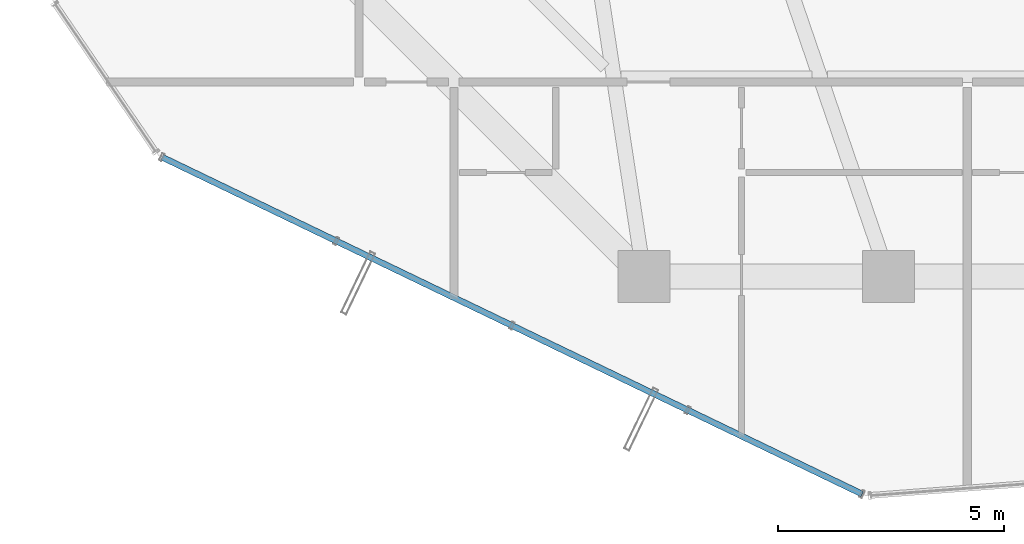
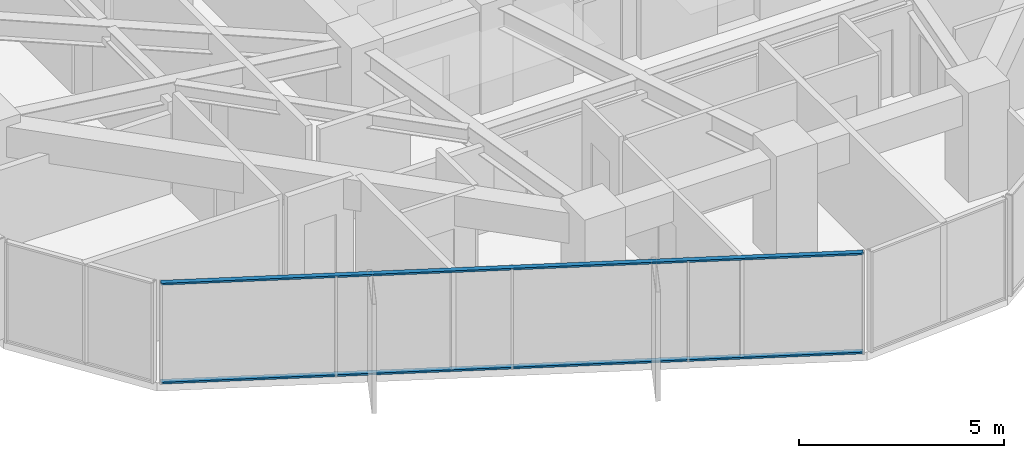
# One storey, part 3 of 35: 2 members, 1 element without a shape of its own.
"""IFC4 building model written with IfcOpenShell, lengths in metres."""

from ifc_helpers import new_model, si_unit, direction, frame, origin, origin_2d, place, context, subcontext, project, spatial, hollow_rectangle, extrude, source, transform, mapped, material, layer, layer_set, material_profile, profile_set, type_object, element, aggregate, save


model = new_model("IFC4")

# Units and contexts
model_context = context("Model", 3, precision=1e-05, world=origin(), true_north=direction((0.0, 1.0)))
body_context = subcontext(model_context, "Body", "Model", "MODEL_VIEW")
ifc_project = project(units=[si_unit("LENGTHUNIT", "METRE"), si_unit("AREAUNIT", "SQUARE_METRE"), si_unit("VOLUMEUNIT", "CUBIC_METRE"), si_unit("PLANEANGLEUNIT", "RADIAN"), si_unit("MASSUNIT", "GRAM", prefix="KILO")], contexts=[model_context])

# Site, building, storey
site_placement = place(None, origin())
site = spatial("IfcSite", under=ifc_project, at=site_placement, CompositionType="ELEMENT")
building_placement = place(site_placement, origin())
building = spatial("IfcBuilding", under=site, at=building_placement, Name="Veraguas Prism Commons", CompositionType="ELEMENT")
storey_placement = place(building_placement, frame((0.0, 0.0, 142.5)))
storey = spatial("IfcBuildingStorey", under=building, at=storey_placement, Name="L40", CompositionType="ELEMENT", Elevation=142.5)

# Curtain wall, members
ifc_material = material(Name="Anodised aluminium EN AW-6063 T6", Category="aluminium")
ifc_layer = layer(ifc_material, 0.169921875, Name="Unitised Flush Curtain Wall Zone 2", Category="aluminium")
ifc_layer_set = layer_set([ifc_layer], Name="Anodised aluminium EN AW-6063 T6")
curtain_wall_type = type_object("IfcCurtainWallType", Name="Unitised Flush Curtain Wall Zone 2", PredefinedType="NOTDEFINED", material=ifc_layer_set)
curtain_wall_placement = place(storey_placement, origin())
curtain_wall = element("IfcCurtainWall", 1, at=curtain_wall_placement, inside=storey, type_object=curtain_wall_type, Name="Tower Facade Curtain Wall L40-F4", PredefinedType="NOTDEFINED")
ifc_material_profile = material_profile(ifc_material, hollow_rectangle(XDim=0.054931640625, YDim=0.135009765625, WallThickness=0.0029296875, at=origin_2d()), Name="AL55X135X3")
ifc_profile_set = profile_set([ifc_material_profile], Name="Anodised aluminium EN AW-6063 T6")
member_type = type_object("IfcMemberType", Name="Curtain Wall Transom Standard AL 55x135x3", PredefinedType="USERDEFINED", material=ifc_profile_set)
shared_shape = source(origin(), body_context, "Body", "SweptSolid", [
    extrude(hollow_rectangle(XDim=0.054931640625, YDim=0.135009765625, WallThickness=0.0029296875, at=origin_2d()), origin(), (0.0, 0.0, 1.0), 17.174560546875),
])
member_1_placement = place(storey_placement, frame((7.943603515625, 10.439208984375, 0.027587890625), z_axis=(0.901074711845, -0.433663883294, 0.0), x_axis=(0.0, 0.0, 1.0)))
member_1 = element("IfcMember", 2, at=member_1_placement, type_object=member_type, Name="CW-Z2 Transom 1", ObjectType="TRANSOM", PredefinedType="USERDEFINED", context=body_context, shape_type="MappedRepresentation", body=[
    mapped(shared_shape, transform((0.0, 0.0, 0.0), scale=1.0)),
])
member_2_placement = place(storey_placement, frame((7.943603515625, 10.439208984375, 2.972412109375), z_axis=(0.901074711845, -0.433663883294, 0.0), x_axis=(0.0, 0.0, 1.0)))
member_2 = element("IfcMember", 3, at=member_2_placement, type_object=member_type, Name="CW-Z2 Transom 2", ObjectType="TRANSOM", PredefinedType="USERDEFINED", context=body_context, shape_type="MappedRepresentation", body=[
    mapped(shared_shape, transform((0.0, 0.0, 0.0), scale=1.0)),
])
aggregate(curtain_wall, [member_1, member_2])

save(model, "model.ifc")
